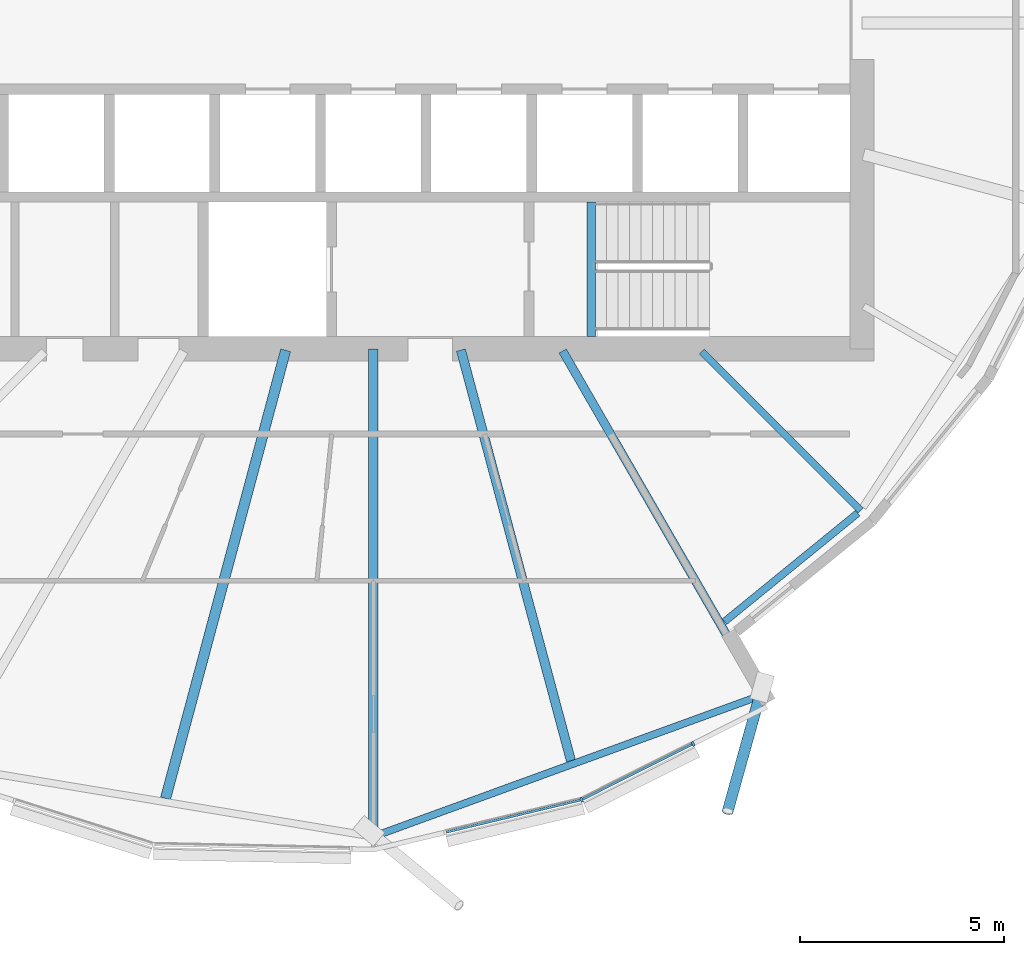
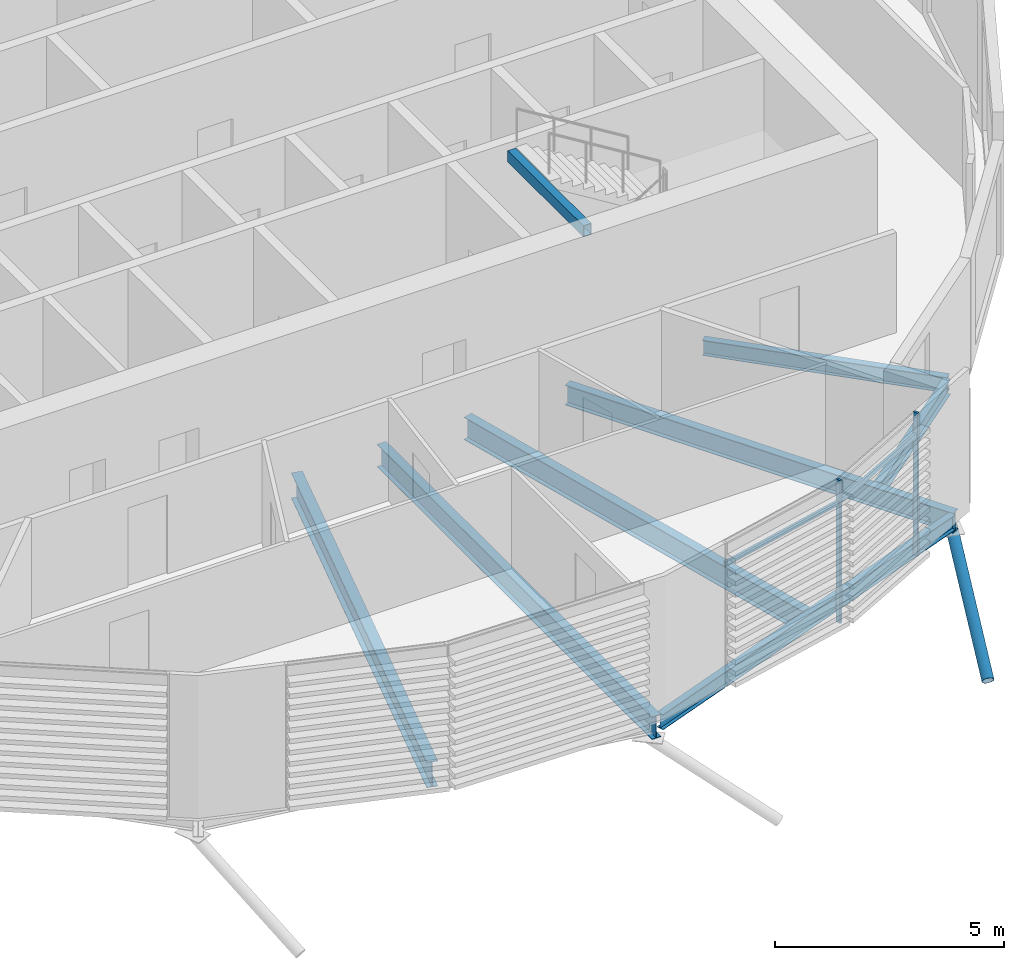
# One storey, part 12 of 36: 8 beams, 5 members, 1 element without a shape of its own.
"""IFC4 building model written with IfcOpenShell, lengths in metres."""

from ifc_helpers import new_model, si_unit, direction, frame, origin, origin_2d, place, context, subcontext, project, spatial, rectangle, hollow_rectangle, hollow_circle, i_section, extrude, clip, halfspace, material, material_profile, profile_set, type_object, element, aggregate, save


model = new_model("IFC4")

# Units and contexts
model_context = context("Model", 3, precision=1e-05, world=origin(), true_north=direction((0.0, 1.0)))
body_context = subcontext(model_context, "Body", "Model", "MODEL_VIEW")
ifc_project = project(units=[si_unit("LENGTHUNIT", "METRE"), si_unit("AREAUNIT", "SQUARE_METRE"), si_unit("VOLUMEUNIT", "CUBIC_METRE"), si_unit("PLANEANGLEUNIT", "RADIAN"), si_unit("MASSUNIT", "GRAM", prefix="KILO")], contexts=[model_context])

# Site, building, storey
site_placement = place(None, origin())
site = spatial("IfcSite", under=ifc_project, at=site_placement, CompositionType="ELEMENT")
building_placement = place(site_placement, origin())
building = spatial("IfcBuilding", under=site, at=building_placement, Name="Rimbun Link Towers", CompositionType="ELEMENT")
storey_placement = place(building_placement, frame((0.0, 0.0, 200.699951171875)))
storey = spatial("IfcBuildingStorey", under=building, at=storey_placement, Name="L49", CompositionType="ELEMENT", Elevation=200.699951171875)

# Curtain wall, members
ifc_material_1 = material(Name="Aluminium 6063-T6 and low-iron glass", Category="aluminium")
curtain_wall_type = type_object("IfcCurtainWallType", Name="CW1-Z3 unitised vision wall (zone 3)", PredefinedType="NOTDEFINED", material=ifc_material_1)
curtain_wall_placement = place(storey_placement, origin())
curtain_wall = element("IfcCurtainWall", 1, at=curtain_wall_placement, inside=storey, type_object=curtain_wall_type, Name="CW1 L49 T2", PredefinedType="NOTDEFINED")
ifc_material_2 = material(Name="Aluminium 6063-T6", Category="aluminium")
ifc_material_profile_1 = material_profile(ifc_material_2, rectangle(XDim=0.1201171875, YDim=0.06005859375, at=origin_2d()), Name="MULLION 60X120")
ifc_profile_set_1 = profile_set([ifc_material_profile_1], Name="Aluminium 6063-T6")
member_type_1 = type_object("IfcMemberType", Name="CW1 mullion 60X120", PredefinedType="MULLION", material=ifc_profile_set_1)
member_1_placement = place(storey_placement, frame((36.865966796875, -19.07275390625, 0.0), z_axis=(0.0, 0.0, 1.0), x_axis=(0.342971734757, -0.939345723979, 0.0)))
member_1 = element("IfcMember", 2, at=member_1_placement, type_object=member_type_1, Name="CW1 mullion", PredefinedType="MULLION", context=body_context, shape_type="SweptSolid", body=[
    extrude(rectangle(XDim=0.1201171875, YDim=0.06005859375, at=origin_2d()), origin(), (0.0, 0.0, 1.0), 3.800048828125),
])
member_2_placement = place(storey_placement, frame((39.6015625, -17.699462890625, 0.0), z_axis=(0.0, 0.0, 1.0), x_axis=(0.448772432233, -0.893646073156, 0.0)))
member_2 = element("IfcMember", 3, at=member_2_placement, type_object=member_type_1, Name="CW1 mullion", PredefinedType="MULLION", context=body_context, shape_type="SweptSolid", body=[
    extrude(rectangle(XDim=0.1201171875, YDim=0.06005859375, at=origin_2d()), origin(), (0.0, 0.0, 1.0), 3.800048828125),
])
ifc_material_3 = material(Name="Aluminium 6063-T6", Category="aluminium")
ifc_material_profile_2 = material_profile(ifc_material_3, rectangle(XDim=0.06005859375, YDim=0.1201171875, at=origin_2d()), Name="TRANSOM 60X120")
ifc_profile_set_2 = profile_set([ifc_material_profile_2], Name="Aluminium 6063-T6")
member_type_2 = type_object("IfcMemberType", Name="CW1 transom 60X120", PredefinedType="USERDEFINED", material=ifc_profile_set_2)
member_3_placement = place(storey_placement, frame((36.829833984375, -19.079833984375, 3.199951171875), z_axis=(-0.972581733642, -0.232561328227, 0.0), x_axis=(0.232561328227, -0.972581733642, 0.0)))
member_3 = element("IfcMember", 4, at=member_3_placement, type_object=member_type_2, Name="CW1 transom", ObjectType="TRANSOM", PredefinedType="USERDEFINED", context=body_context, shape_type="SweptSolid", body=[
    extrude(rectangle(XDim=0.06005859375, YDim=0.1201171875, at=origin_2d()), origin(), (0.0, 0.0, 1.0), 3.37939453125),
])
member_4_placement = place(storey_placement, frame((39.573974609375, -17.711181640625, 3.199951171875), z_axis=(-0.893675766865, -0.448713297907, 0.0), x_axis=(0.448713297907, -0.893675766865, 0.0)))
member_4 = element("IfcMember", 5, at=member_4_placement, type_object=member_type_2, Name="CW1 transom", ObjectType="TRANSOM", PredefinedType="USERDEFINED", context=body_context, shape_type="SweptSolid", body=[
    extrude(rectangle(XDim=0.06005859375, YDim=0.1201171875, at=origin_2d()), origin(), (0.0, 0.0, 1.0), 2.994140625),
])
aggregate(curtain_wall, [member_1, member_2, member_3, member_4])

# Member
ifc_material_4 = material(Name="Steel S355J2H", Category="steel")
ifc_material_profile_3 = material_profile(ifc_material_4, hollow_circle(Radius=0.136474609375, WallThickness=0.012451171875, at=origin_2d()), Name="CHS 273x12.5")
ifc_profile_set_3 = profile_set([ifc_material_profile_3], Name="Steel S355J2H")
member_type_3 = type_object("IfcMemberType", Name="Floor edge link CHS 273x12.5", PredefinedType="BRACE", material=ifc_profile_set_3)
member_5_placement = place(storey_placement, frame((41.255126953125, -16.46337890625, -0.7998046875), z_axis=(-0.228639445057, -0.822714125534, -0.520447376601), x_axis=(0.963485363494, -0.267761002264, 0.0)))
element("IfcMember", 6, at=member_5_placement, inside=storey, type_object=member_type_3, Name="Floor edge link T2 L49 17", PredefinedType="BRACE", context=body_context, shape_type="Clipping", body=[
    clip(extrude(hollow_circle(Radius=0.136474609375, WallThickness=0.012451171875, at=origin_2d()), frame((0.0, 0.0, -0.467041015625)), (0.0, 0.0, 1.0), 3.991943359375), halfspace(frame((0.0, 0.0, -0.220458984375), z_axis=(0.0, 0.853893745257, -0.520447376601)), False)),
])

# Beams
ifc_material_5 = material(Name="Steel S355J2", Category="steel")
ifc_material_profile_4 = material_profile(ifc_material_5, hollow_rectangle(XDim=0.199951171875, YDim=0.300048828125, WallThickness=0.011962890625, at=origin_2d()), Name="BOX 300x200x12")
ifc_profile_set_4 = profile_set([ifc_material_profile_4], Name="Steel S355J2")
beam_type_1 = type_object("IfcBeamType", Name="Stair trimmer beam BOX 300x200x12", PredefinedType="BEAM", material=ifc_profile_set_4)
beam_1_placement = place(storey_placement, frame((37.10009765625, -7.699951171875, 3.449951171875), z_axis=(0.0, 1.0, 0.0), x_axis=(-1.0, 0.0, 0.0)))
element("IfcBeam", 7, at=beam_1_placement, inside=storey, type_object=beam_type_1, Name="L49 ST4 stair beam 1", PredefinedType="BEAM", context=body_context, shape_type="SweptSolid", body=[
    extrude(hollow_rectangle(XDim=0.199951171875, YDim=0.300048828125, WallThickness=0.011962890625, at=origin_2d()), origin(), (0.0, 0.0, 1.0), 3.300048828125),
])
ifc_material_6 = material(Name="Steel S355J2", Category="steel")
ifc_material_profile_5 = material_profile(ifc_material_6, i_section(OverallWidth=0.177978515625, OverallDepth=0.406494140625, WebThickness=0.0078125, FlangeThickness=0.0126953125, at=origin_2d()), Name="UB 406x178x60")
ifc_profile_set_5 = profile_set([ifc_material_profile_5], Name="Steel S355J2")
beam_type_2 = type_object("IfcBeamType", Name="UB 406x178x60", PredefinedType="BEAM", material=ifc_profile_set_5)
beam_2_placement = place(storey_placement, frame((39.813720703125, -8.063720703125, -0.353271484375), z_axis=(0.707106781187, -0.707106781187, 0.0), x_axis=(0.707106781187, 0.707106781187, 0.0)))
element("IfcBeam", 8, at=beam_2_placement, inside=storey, type_object=beam_type_2, Name="Radial beam T2 L49 18", PredefinedType="BEAM", context=body_context, shape_type="SweptSolid", body=[
    extrude(i_section(OverallWidth=0.177978515625, OverallDepth=0.406494140625, WebThickness=0.0078125, FlangeThickness=0.0126953125, at=origin_2d()), origin(), (0.0, 0.0, 1.0), 5.526611328125),
])
beam_3_placement = place(storey_placement, frame((31.86474609375, -19.936279296875, -0.353271484375), z_axis=(0.939599125816, 0.342276909483, 0.0), x_axis=(-0.342276909483, 0.939599125816, 0.0)))
element("IfcBeam", 9, at=beam_3_placement, inside=storey, type_object=beam_type_2, Name="Edge beam T2 L49 15-17", PredefinedType="BEAM", context=body_context, shape_type="SweptSolid", body=[
    extrude(i_section(OverallWidth=0.177978515625, OverallDepth=0.406494140625, WebThickness=0.0078125, FlangeThickness=0.0126953125, at=origin_2d()), origin(), (0.0, 0.0, 1.0), 9.913330078125),
])
beam_4_placement = place(storey_placement, frame((40.374267578125, -14.697998046875, -0.353271484375), z_axis=(0.775337864164, 0.631546670004, 0.0), x_axis=(-0.631546670004, 0.775337864164, 0.0)))
element("IfcBeam", 10, at=beam_4_placement, inside=storey, type_object=beam_type_2, Name="Edge beam T2 L49 17 recess", PredefinedType="BEAM", context=body_context, shape_type="SweptSolid", body=[
    extrude(i_section(OverallWidth=0.177978515625, OverallDepth=0.406494140625, WebThickness=0.0078125, FlangeThickness=0.0126953125, at=origin_2d()), origin(), (0.0, 0.0, 1.0), 4.217529296875),
])
ifc_material_7 = material(Name="Steel S355J2", Category="steel")
ifc_material_profile_6 = material_profile(ifc_material_7, i_section(OverallWidth=0.209228515625, OverallDepth=0.533203125, WebThickness=0.010009765625, FlangeThickness=0.015625, at=origin_2d()), Name="UB 533x210x92")
ifc_profile_set_6 = profile_set([ifc_material_profile_6], Name="Steel S355J2")
beam_type_3 = type_object("IfcBeamType", Name="UB 533x210x92", PredefinedType="BEAM", material=ifc_profile_set_6)
beam_5_placement = place(storey_placement, frame((36.3994140625, -8.05322265625, -0.41650390625), z_axis=(0.500004632045, -0.866022729456, 0.0), x_axis=(0.866022729456, 0.500004632045, 0.0)))
element("IfcBeam", 11, at=beam_5_placement, inside=storey, type_object=beam_type_3, Name="Radial beam T2 L49 17", PredefinedType="BEAM", context=body_context, shape_type="SweptSolid", body=[
    extrude(i_section(OverallWidth=0.209228515625, OverallDepth=0.533203125, WebThickness=0.010009765625, FlangeThickness=0.015625, at=origin_2d()), origin(), (0.0, 0.0, 1.0), 9.76123046875),
])
ifc_material_8 = material(Name="Steel S355J2", Category="steel")
ifc_material_profile_7 = material_profile(ifc_material_8, i_section(OverallWidth=0.2275390625, OverallDepth=0.6025390625, WebThickness=0.010498046875, FlangeThickness=0.014892578125, at=origin_2d()), Name="UB 610x229x101")
ifc_profile_set_7 = profile_set([ifc_material_profile_7], Name="Steel S355J2")
beam_type_4 = type_object("IfcBeamType", Name="UB 610x229x101", PredefinedType="BEAM", material=ifc_profile_set_7)
beam_6_placement = place(storey_placement, frame((31.75, -8.0009765625, -0.451171875), z_axis=(0.0, -1.0, 0.0), x_axis=(1.0, 0.0, 0.0)))
element("IfcBeam", 12, at=beam_6_placement, inside=storey, type_object=beam_type_4, Name="Radial beam T2 L49 15", PredefinedType="BEAM", context=body_context, shape_type="SweptSolid", body=[
    extrude(i_section(OverallWidth=0.2275390625, OverallDepth=0.6025390625, WebThickness=0.010498046875, FlangeThickness=0.014892578125, at=origin_2d()), origin(), (0.0, 0.0, 1.0), 11.97705078125),
])
beam_7_placement = place(storey_placement, frame((33.901611328125, -8.030517578125, -0.451171875), z_axis=(0.258838562818, -0.965920596322, 0.0), x_axis=(0.965920596322, 0.258838562818, 0.0)))
element("IfcBeam", 13, at=beam_7_placement, inside=storey, type_object=beam_type_4, Name="Radial beam T2 L49 16", PredefinedType="BEAM", context=body_context, shape_type="SweptSolid", body=[
    extrude(i_section(OverallWidth=0.2275390625, OverallDepth=0.6025390625, WebThickness=0.010498046875, FlangeThickness=0.014892578125, at=origin_2d()), origin(), (0.0, 0.0, 1.0), 10.439453125),
])
ifc_material_9 = material(Name="Steel S355J2", Category="steel")
ifc_material_profile_8 = material_profile(ifc_material_9, i_section(OverallWidth=0.253662109375, OverallDepth=0.68359375, WebThickness=0.012451171875, FlangeThickness=0.01904296875, at=origin_2d()), Name="UB 686x254x140")
ifc_profile_set_8 = profile_set([ifc_material_profile_8], Name="Steel S355J2")
beam_type_5 = type_object("IfcBeamType", Name="UB 686x254x140", PredefinedType="BEAM", material=ifc_profile_set_8)
beam_8_placement = place(storey_placement, frame((29.597412109375, -8.03369140625, -0.49169921875), z_axis=(-0.258828204443, -0.965923372005, 0.0), x_axis=(0.965923372005, -0.258828204443, 0.0)))
element("IfcBeam", 14, at=beam_8_placement, inside=storey, type_object=beam_type_5, Name="Radial beam T2 L49 14", PredefinedType="BEAM", context=body_context, shape_type="SweptSolid", body=[
    extrude(i_section(OverallWidth=0.253662109375, OverallDepth=0.68359375, WebThickness=0.012451171875, FlangeThickness=0.01904296875, at=origin_2d()), origin(), (0.0, 0.0, 1.0), 11.392578125),
])

save(model, "model.ifc")
